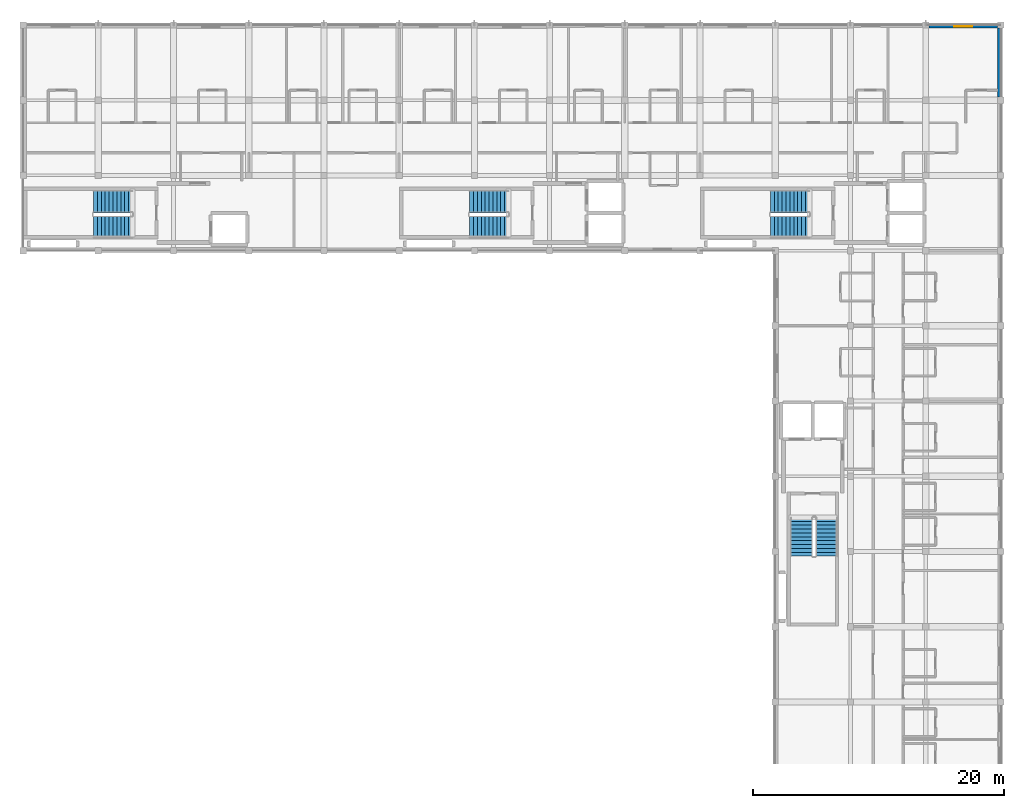
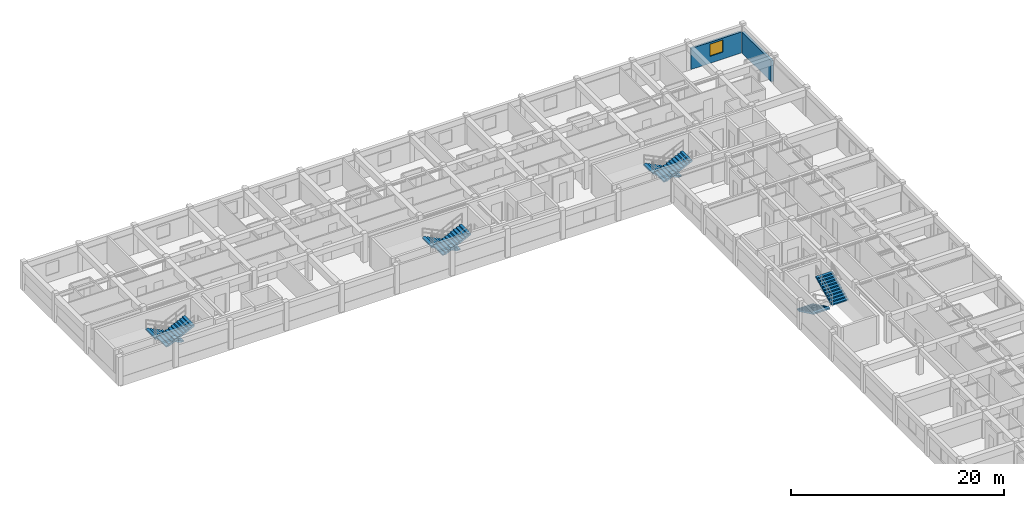
# One storey, part 11 of 15: 8 stair flights, 2 walls, 1 window, 1 opening, 4 elements without a shape of their own.
"""IFC4 building model written with IfcOpenShell, lengths in metres."""

from ifc_helpers import new_model, si_unit, direction, frame, frame_2d, origin, place, context, subcontext, project, spatial, polyline, rectangle, outline, extrude, material, layer, layer_set, type_object, element, fill, aggregate, save


model = new_model("IFC4")

# Units and contexts
model_context = context("Model", 3, precision=1e-05, world=origin(), true_north=direction((0.0, 1.0)))
body_context = subcontext(model_context, "Body", "Model", "MODEL_VIEW")
ifc_project = project(units=[si_unit("LENGTHUNIT", "METRE"), si_unit("AREAUNIT", "SQUARE_METRE"), si_unit("VOLUMEUNIT", "CUBIC_METRE"), si_unit("PLANEANGLEUNIT", "RADIAN"), si_unit("MASSUNIT", "GRAM", prefix="KILO"), si_unit("THERMODYNAMICTEMPERATUREUNIT", "KELVIN"), si_unit("POWERUNIT", "WATT")], contexts=[model_context])

# Site, building, storey
site_placement = place(None, origin())
site = spatial("IfcSite", under=ifc_project, at=site_placement, CompositionType="ELEMENT")
building_placement = place(site_placement, origin())
building = spatial("IfcBuilding", under=site, at=building_placement, Name="Phaisarnlok Congress Hotel", CompositionType="ELEMENT")
storey_placement = place(building_placement, frame((0.0, 0.0, 41.39990234375)))
storey = spatial("IfcBuildingStorey", under=building, at=storey_placement, Name="L10", CompositionType="ELEMENT", Elevation=41.39990234375)

# Wall, opening, window
ifc_material_1 = material(Name="Concrete C40/50", Category="concrete")
ifc_layer_1 = layer(ifc_material_1, 0.22998046875, Name="Concrete C40/50")
ifc_layer_set_1 = layer_set([ifc_layer_1], Name="Concrete C40/50")
wall_type_1 = type_object("IfcWallType", Name="WL-EXT-230", PredefinedType="SOLIDWALL", material=ifc_layer_set_1)
wall_1_placement = place(storey_placement, frame((179.7451171875, 125.885009765625, 0.0), z_axis=(0.0, 0.0, 1.0), x_axis=(-1.0, 0.0, 0.0)))
wall_1 = element("IfcWall", 1, at=wall_1_placement, inside=storey, type_object=wall_type_1, Name="Exterior wall EW-06 (L10)", PredefinedType="SOLIDWALL", context=body_context, shape_type="SweptSolid", body=[
    extrude(rectangle(XDim=5.490234375, YDim=0.22998046875, at=frame_2d((2.7451171875, 0.0))), origin(), (0.0, 0.0, 1.0), 2.41015625),
])
opening_placement = place(wall_1_placement, frame((2.044921875, 0.0, 0.800048828125)))
opening = element("IfcOpeningElement", 2, at=opening_placement, cuts=wall_1, Name="Opening W-13", PredefinedType="OPENING", context=body_context, shape_type="SweptSolid", body=[
    extrude(rectangle(XDim=1.39990234375, YDim=1.39990234375, at=frame_2d((0.699951171875, 0.699951171875))), frame((0.0, 0.125, 0.0), z_axis=(0.0, -1.0, 0.0), x_axis=(1.0, 0.0, 0.0)), (0.0, 0.0, 1.0), 0.25),
])
ifc_material_2 = material(Name="Thermally Broken Aluminium & Low-E Double Glazing", Category="aluminium")
window_type = type_object("IfcWindowType", Name="WIN-POD-1400", PartitioningType="SINGLE_PANEL", PredefinedType="WINDOW", material=ifc_material_2)
window_placement = place(opening_placement, origin())
window = element("IfcWindow", 3, at=window_placement, inside=storey, type_object=window_type, Name="Guestroom window W-13 (L10)", OverallHeight=1.39990234375, OverallWidth=1.39990234375, PartitioningType="SINGLE_PANEL", PredefinedType="WINDOW", context=body_context, shape_type="SweptSolid", body=[
    extrude(rectangle(XDim=1.39990234375, YDim=1.39990234375, at=frame_2d((0.699951171875, 0.699951171875))), frame((0.0, 0.030029296875, 0.0), z_axis=(0.0, -1.0, 0.0), x_axis=(1.0, 0.0, 0.0)), (0.0, 0.0, 1.0), 0.06005859375),
])
fill(opening, window)

# Wall
ifc_layer_2 = layer(ifc_material_1, 0.25, Name="Concrete C40/50")
ifc_layer_set_2 = layer_set([ifc_layer_2], Name="Concrete C40/50")
wall_type_2 = type_object("IfcWallType", Name="WL-EXT-250", PredefinedType="SOLIDWALL", material=ifc_layer_set_2)
wall_2_placement = place(storey_placement, frame((179.875, 120.2548828125, 0.0), z_axis=(0.0, 0.0, 1.0), x_axis=(0.0, 1.0, 0.0)))
element("IfcWall", 4, at=wall_2_placement, inside=storey, type_object=wall_type_2, Name="Exterior wall EW-05 (L10)", PredefinedType="SOLIDWALL", context=body_context, shape_type="SweptSolid", body=[
    extrude(rectangle(XDim=5.490234375, YDim=0.25, at=frame_2d((2.7451171875, 0.0))), origin(), (0.0, 0.0, 1.0), 2.41015625),
])

# Stair, stair flights
stair_type = type_object("IfcStairType", Name="STR-DOG-05", PredefinedType="HALF_TURN_STAIR", material=ifc_material_1)
stair_1_placement = place(storey_placement, origin())
stair_1 = element("IfcStair", 5, at=stair_1_placement, inside=storey, type_object=stair_type, Name="L10 ST-05", PredefinedType="HALF_TURN_STAIR")
stair_flight_type = type_object("IfcStairFlightType", Name="SFL-RC-05", PredefinedType="STRAIGHT", material=ifc_material_1)
stair_flight_1_placement = place(storey_placement, frame((164.719970703125, 111.909912109375, 0.0), z_axis=(0.0, 0.0, 1.0), x_axis=(-1.0, 0.0, 0.0)))
stair_flight_1 = element("IfcStairFlight", 6, at=stair_flight_1_placement, type_object=stair_flight_type, Name="ST-05 flight 1", NumberOfRisers=11, NumberOfTreads=10, PredefinedType="STRAIGHT", RiserHeight=0.15, TreadLength=0.31, context=body_context, shape_type="SweptSolid", body=[
    extrude(outline(polyline([(0.0, 0.0), (0.0, 0.14990234375), (0.31005859375, 0.14990234375), (0.31005859375, 0.300048828125), (0.6201171875, 0.300048828125), (0.6201171875, 0.449951171875), (0.929931640625, 0.449951171875), (0.929931640625, 0.60009765625), (1.239990234375, 0.60009765625), (1.239990234375, 0.75), (1.550048828125, 0.75), (1.550048828125, 0.89990234375), (1.860107421875, 0.89990234375), (1.860107421875, 1.050048828125), (2.169921875, 1.050048828125), (2.169921875, 1.199951171875), (2.47998046875, 1.199951171875), (2.47998046875, 1.35009765625), (2.7900390625, 1.35009765625), (2.7900390625, 1.5), (3.10009765625, 1.5), (3.10009765625, 1.64990234375), (3.10009765625, 1.33349609375), (0.34423828125, 0.0), (0.0, 0.0)])), frame((0.0, 0.89013671875, 0.0), z_axis=(0.0, -1.0, 0.0), x_axis=(1.0, 0.0, 0.0)), (0.0, 0.0, 1.0), 1.780029296875),
])
stair_flight_2_placement = place(storey_placement, frame((161.6201171875, 109.889892578125, 1.650146484375), z_axis=(0.0, 0.0, 1.0), x_axis=(1.0, 0.0, 0.0)))
stair_flight_2 = element("IfcStairFlight", 7, at=stair_flight_2_placement, type_object=stair_flight_type, Name="ST-05 flight 2", NumberOfRisers=11, NumberOfTreads=10, PredefinedType="STRAIGHT", RiserHeight=0.15, TreadLength=0.31, context=body_context, shape_type="SweptSolid", body=[
    extrude(outline(polyline([(0.0, 0.0), (0.0, 0.14990234375), (0.31005859375, 0.14990234375), (0.31005859375, 0.300048828125), (0.6201171875, 0.300048828125), (0.6201171875, 0.449951171875), (0.929931640625, 0.449951171875), (0.929931640625, 0.60009765625), (1.239990234375, 0.60009765625), (1.239990234375, 0.75), (1.550048828125, 0.75), (1.550048828125, 0.89990234375), (1.860107421875, 0.89990234375), (1.860107421875, 1.050048828125), (2.169921875, 1.050048828125), (2.169921875, 1.199951171875), (2.47998046875, 1.199951171875), (2.47998046875, 1.35009765625), (2.7900390625, 1.35009765625), (2.7900390625, 1.5), (3.10009765625, 1.5), (3.10009765625, 1.64990234375), (3.10009765625, 1.33349609375), (0.34423828125, 0.0), (0.0, 0.0)])), frame((0.0, 0.89013671875, 0.0), z_axis=(0.0, -1.0, 0.0), x_axis=(1.0, 0.0, 0.0)), (0.0, 0.0, 1.0), 1.780029296875),
])
aggregate(stair_1, [stair_flight_1, stair_flight_2])

stair_2_placement = place(storey_placement, origin())
stair_2 = element("IfcStair", 8, at=stair_2_placement, inside=storey, type_object=stair_type, Name="L10 ST-06", PredefinedType="HALF_TURN_STAIR")
stair_flight_3_placement = place(storey_placement, frame((140.719970703125, 111.909912109375, 0.0), z_axis=(0.0, 0.0, 1.0), x_axis=(-1.0, 0.0, 0.0)))
stair_flight_3 = element("IfcStairFlight", 9, at=stair_flight_3_placement, type_object=stair_flight_type, Name="ST-06 flight 1", NumberOfRisers=11, NumberOfTreads=10, PredefinedType="STRAIGHT", RiserHeight=0.15, TreadLength=0.31, context=body_context, shape_type="SweptSolid", body=[
    extrude(outline(polyline([(0.0, 0.0), (0.0, 0.14990234375), (0.31005859375, 0.14990234375), (0.31005859375, 0.300048828125), (0.6201171875, 0.300048828125), (0.6201171875, 0.449951171875), (0.929931640625, 0.449951171875), (0.929931640625, 0.60009765625), (1.239990234375, 0.60009765625), (1.239990234375, 0.75), (1.550048828125, 0.75), (1.550048828125, 0.89990234375), (1.860107421875, 0.89990234375), (1.860107421875, 1.050048828125), (2.169921875, 1.050048828125), (2.169921875, 1.199951171875), (2.47998046875, 1.199951171875), (2.47998046875, 1.35009765625), (2.7900390625, 1.35009765625), (2.7900390625, 1.5), (3.10009765625, 1.5), (3.10009765625, 1.64990234375), (3.10009765625, 1.33349609375), (0.34423828125, 0.0), (0.0, 0.0)])), frame((0.0, 0.89013671875, 0.0), z_axis=(0.0, -1.0, 0.0), x_axis=(1.0, 0.0, 0.0)), (0.0, 0.0, 1.0), 1.780029296875),
])
stair_flight_4_placement = place(storey_placement, frame((137.6201171875, 109.889892578125, 1.650146484375), z_axis=(0.0, 0.0, 1.0), x_axis=(1.0, 0.0, 0.0)))
stair_flight_4 = element("IfcStairFlight", 10, at=stair_flight_4_placement, type_object=stair_flight_type, Name="ST-06 flight 2", NumberOfRisers=11, NumberOfTreads=10, PredefinedType="STRAIGHT", RiserHeight=0.15, TreadLength=0.31, context=body_context, shape_type="SweptSolid", body=[
    extrude(outline(polyline([(0.0, 0.0), (0.0, 0.14990234375), (0.31005859375, 0.14990234375), (0.31005859375, 0.300048828125), (0.6201171875, 0.300048828125), (0.6201171875, 0.449951171875), (0.929931640625, 0.449951171875), (0.929931640625, 0.60009765625), (1.239990234375, 0.60009765625), (1.239990234375, 0.75), (1.550048828125, 0.75), (1.550048828125, 0.89990234375), (1.860107421875, 0.89990234375), (1.860107421875, 1.050048828125), (2.169921875, 1.050048828125), (2.169921875, 1.199951171875), (2.47998046875, 1.199951171875), (2.47998046875, 1.35009765625), (2.7900390625, 1.35009765625), (2.7900390625, 1.5), (3.10009765625, 1.5), (3.10009765625, 1.64990234375), (3.10009765625, 1.33349609375), (0.34423828125, 0.0), (0.0, 0.0)])), frame((0.0, 0.89013671875, 0.0), z_axis=(0.0, -1.0, 0.0), x_axis=(1.0, 0.0, 0.0)), (0.0, 0.0, 1.0), 1.780029296875),
])
aggregate(stair_2, [stair_flight_3, stair_flight_4])

stair_3_placement = place(storey_placement, origin())
stair_3 = element("IfcStair", 11, at=stair_3_placement, inside=storey, type_object=stair_type, Name="L10 ST-07", PredefinedType="HALF_TURN_STAIR")
stair_flight_5_placement = place(storey_placement, frame((110.719970703125, 111.909912109375, 0.0), z_axis=(0.0, 0.0, 1.0), x_axis=(-1.0, 0.0, 0.0)))
stair_flight_5 = element("IfcStairFlight", 12, at=stair_flight_5_placement, type_object=stair_flight_type, Name="ST-07 flight 1", NumberOfRisers=11, NumberOfTreads=10, PredefinedType="STRAIGHT", RiserHeight=0.15, TreadLength=0.31, context=body_context, shape_type="SweptSolid", body=[
    extrude(outline(polyline([(0.0, 0.0), (0.0, 0.14990234375), (0.31005859375, 0.14990234375), (0.31005859375, 0.300048828125), (0.6201171875, 0.300048828125), (0.6201171875, 0.449951171875), (0.929931640625, 0.449951171875), (0.929931640625, 0.60009765625), (1.239990234375, 0.60009765625), (1.239990234375, 0.75), (1.550048828125, 0.75), (1.550048828125, 0.89990234375), (1.860107421875, 0.89990234375), (1.860107421875, 1.050048828125), (2.169921875, 1.050048828125), (2.169921875, 1.199951171875), (2.47998046875, 1.199951171875), (2.47998046875, 1.35009765625), (2.7900390625, 1.35009765625), (2.7900390625, 1.5), (3.10009765625, 1.5), (3.10009765625, 1.64990234375), (3.10009765625, 1.33349609375), (0.34423828125, 0.0), (0.0, 0.0)])), frame((0.0, 0.89013671875, 0.0), z_axis=(0.0, -1.0, 0.0), x_axis=(1.0, 0.0, 0.0)), (0.0, 0.0, 1.0), 1.780029296875),
])
stair_flight_6_placement = place(storey_placement, frame((107.6201171875, 109.889892578125, 1.650146484375), z_axis=(0.0, 0.0, 1.0), x_axis=(1.0, 0.0, 0.0)))
stair_flight_6 = element("IfcStairFlight", 13, at=stair_flight_6_placement, type_object=stair_flight_type, Name="ST-07 flight 2", NumberOfRisers=11, NumberOfTreads=10, PredefinedType="STRAIGHT", RiserHeight=0.15, TreadLength=0.31, context=body_context, shape_type="SweptSolid", body=[
    extrude(outline(polyline([(0.0, 0.0), (0.0, 0.14990234375), (0.31005859375, 0.14990234375), (0.31005859375, 0.300048828125), (0.6201171875, 0.300048828125), (0.6201171875, 0.449951171875), (0.929931640625, 0.449951171875), (0.929931640625, 0.60009765625), (1.239990234375, 0.60009765625), (1.239990234375, 0.75), (1.550048828125, 0.75), (1.550048828125, 0.89990234375), (1.860107421875, 0.89990234375), (1.860107421875, 1.050048828125), (2.169921875, 1.050048828125), (2.169921875, 1.199951171875), (2.47998046875, 1.199951171875), (2.47998046875, 1.35009765625), (2.7900390625, 1.35009765625), (2.7900390625, 1.5), (3.10009765625, 1.5), (3.10009765625, 1.64990234375), (3.10009765625, 1.33349609375), (0.34423828125, 0.0), (0.0, 0.0)])), frame((0.0, 0.89013671875, 0.0), z_axis=(0.0, -1.0, 0.0), x_axis=(1.0, 0.0, 0.0)), (0.0, 0.0, 1.0), 1.780029296875),
])
aggregate(stair_3, [stair_flight_5, stair_flight_6])

stair_4_placement = place(storey_placement, origin())
stair_4 = element("IfcStair", 14, at=stair_4_placement, inside=storey, type_object=stair_type, Name="L10 ST-09", PredefinedType="HALF_TURN_STAIR")
stair_flight_7_placement = place(storey_placement, frame((164.090087890625, 86.719970703125, 0.0), z_axis=(0.0, 0.0, 1.0), x_axis=(0.0, -1.0, 0.0)))
stair_flight_7 = element("IfcStairFlight", 15, at=stair_flight_7_placement, type_object=stair_flight_type, Name="ST-09 flight 1", NumberOfRisers=11, NumberOfTreads=10, PredefinedType="STRAIGHT", RiserHeight=0.15, TreadLength=0.31, context=body_context, shape_type="SweptSolid", body=[
    extrude(outline(polyline([(0.0, 0.0), (0.0, 0.14990234375), (0.31005859375, 0.14990234375), (0.31005859375, 0.300048828125), (0.6201171875, 0.300048828125), (0.6201171875, 0.449951171875), (0.929931640625, 0.449951171875), (0.929931640625, 0.60009765625), (1.239990234375, 0.60009765625), (1.239990234375, 0.75), (1.550048828125, 0.75), (1.550048828125, 0.89990234375), (1.860107421875, 0.89990234375), (1.860107421875, 1.050048828125), (2.169921875, 1.050048828125), (2.169921875, 1.199951171875), (2.47998046875, 1.199951171875), (2.47998046875, 1.35009765625), (2.7900390625, 1.35009765625), (2.7900390625, 1.5), (3.10009765625, 1.5), (3.10009765625, 1.64990234375), (3.10009765625, 1.33349609375), (0.34423828125, 0.0), (0.0, 0.0)])), frame((0.0, 0.89013671875, 0.0), z_axis=(0.0, -1.0, 0.0), x_axis=(1.0, 0.0, 0.0)), (0.0, 0.0, 1.0), 1.780029296875),
])
stair_flight_8_placement = place(storey_placement, frame((166.110107421875, 83.6201171875, 1.650146484375), z_axis=(0.0, 0.0, 1.0), x_axis=(0.0, 1.0, 0.0)))
stair_flight_8 = element("IfcStairFlight", 16, at=stair_flight_8_placement, type_object=stair_flight_type, Name="ST-09 flight 2", NumberOfRisers=11, NumberOfTreads=10, PredefinedType="STRAIGHT", RiserHeight=0.15, TreadLength=0.31, context=body_context, shape_type="SweptSolid", body=[
    extrude(outline(polyline([(0.0, 0.0), (0.0, 0.14990234375), (0.31005859375, 0.14990234375), (0.31005859375, 0.300048828125), (0.6201171875, 0.300048828125), (0.6201171875, 0.449951171875), (0.929931640625, 0.449951171875), (0.929931640625, 0.60009765625), (1.239990234375, 0.60009765625), (1.239990234375, 0.75), (1.550048828125, 0.75), (1.550048828125, 0.89990234375), (1.860107421875, 0.89990234375), (1.860107421875, 1.050048828125), (2.169921875, 1.050048828125), (2.169921875, 1.199951171875), (2.47998046875, 1.199951171875), (2.47998046875, 1.35009765625), (2.7900390625, 1.35009765625), (2.7900390625, 1.5), (3.10009765625, 1.5), (3.10009765625, 1.64990234375), (3.10009765625, 1.33349609375), (0.34423828125, 0.0), (0.0, 0.0)])), frame((0.0, 0.89013671875, 0.0), z_axis=(0.0, -1.0, 0.0), x_axis=(1.0, 0.0, 0.0)), (0.0, 0.0, 1.0), 1.780029296875),
])
aggregate(stair_4, [stair_flight_7, stair_flight_8])

save(model, "model.ifc")
